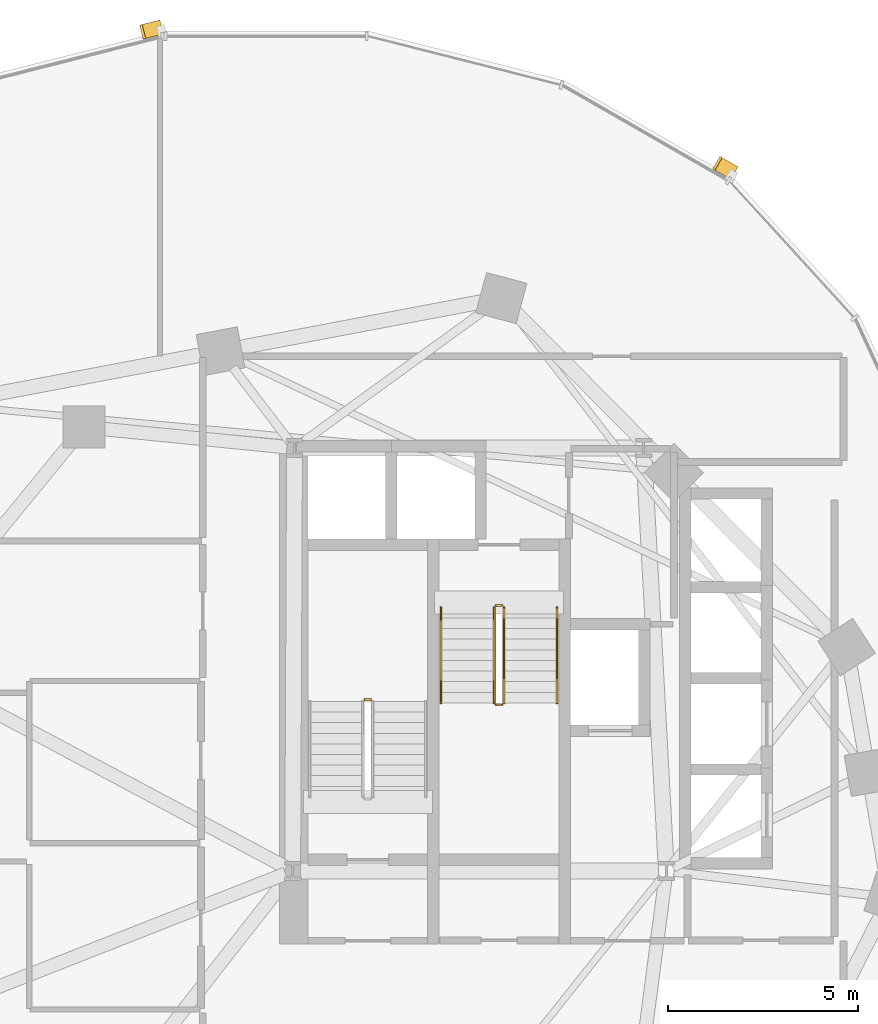
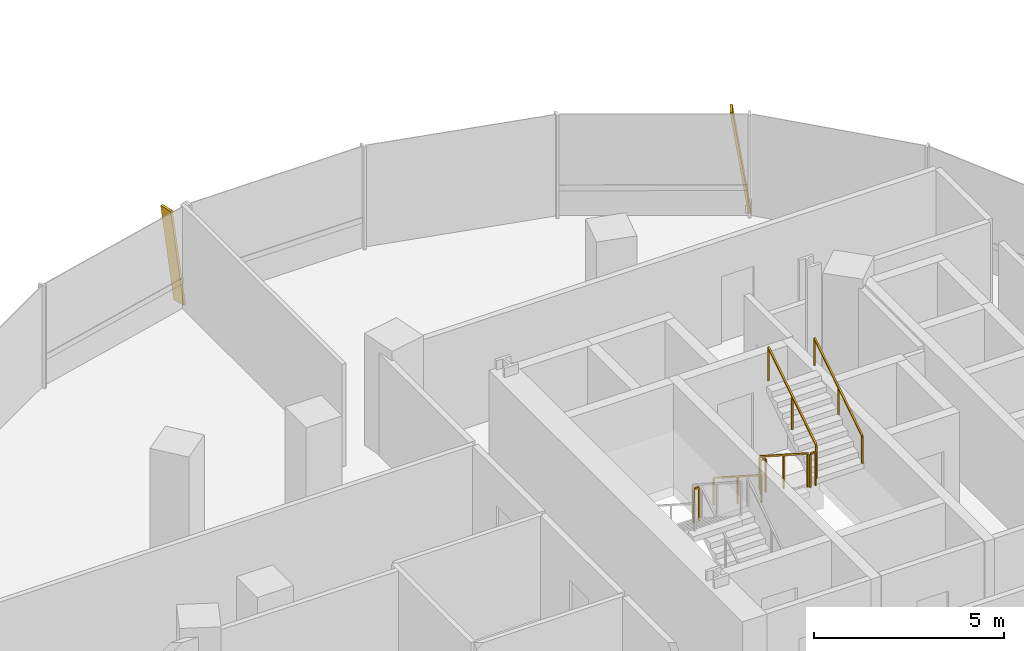
# One storey, part 19 of 21: 7 railings, 2 shading devices.
"""IFC4 building model written with IfcOpenShell, lengths in metres."""

import ifcopenshell
import ifcopenshell.guid

model = None  # the IFC model being written
_history = None  # IfcOwnerHistory: only IFC2X3 demands one
_inside = {}  # id of a spatial element -> (the spatial element, [elements in it])
_under = {}  # id of a project, library or spatial element -> (it, [spatial elements below it])
_declared = {}  # id of a project -> (the project, [libraries it declares])
_typed = {}  # id of a type object -> (the type object, [elements of that type])
_made_of = {}  # id of a material, layer set ... -> (it, [elements and type objects made of it])


def new_model(schema):
    """Start an empty IFC model of exactly this schema.

    Asked for "IFC4X3", IfcOpenShell would pick the latest addendum, in which some entities
    have other attributes; the version numbers below select the first issue.
    IFC2X3 requires an IfcOwnerHistory on every rooted entity: one is made here for all.
    """
    global model, _history
    if schema == "IFC4X3":
        model = ifcopenshell.file(schema_version=(4, 3, 0, 0))
    else:
        model = ifcopenshell.file(schema=schema)
    _inside.clear()
    _under.clear()
    _declared.clear()
    _typed.clear()
    _made_of.clear()
    _history = None
    if model.schema == "IFC2X3":
        org = make("IfcOrganization", Name="unknown")
        user = make(
            "IfcPersonAndOrganization",
            ThePerson=make("IfcPerson", FamilyName="unknown"),
            TheOrganization=org,
        )
        app = make(
            "IfcApplication",
            ApplicationDeveloper=org,
            Version="unknown",
            ApplicationFullName="unknown",
            ApplicationIdentifier="unknown",
        )
        _history = make(
            "IfcOwnerHistory",
            OwningUser=user,
            OwningApplication=app,
            ChangeAction="ADDED",
            CreationDate=0,
        )
    return model


def make(cls, **values):
    """One entity of the class cls with the attributes given. An attribute that is None is left unset."""
    return model.create_entity(
        cls, **{name: value for name, value in values.items() if value is not None}
    )


def rooted(cls, **values):
    """An entity with a GlobalId (a new one), such as an element, a storey or a relation."""
    return make(cls, GlobalId=ifcopenshell.guid.new(), OwnerHistory=_history, **values)


def si_unit(unit_type, name, prefix=None):
    """IfcSIUnit, for example si_unit("LENGTHUNIT", "METRE", prefix="MILLI")."""
    return make("IfcSIUnit", UnitType=unit_type, Prefix=prefix, Name=name)


def assignment(units):
    """IfcUnitAssignment: the units of a project."""
    return None if units is None else make("IfcUnitAssignment", Units=units)


def point(xyz):
    """IfcCartesianPoint."""
    return None if xyz is None else make("IfcCartesianPoint", Coordinates=xyz)


def direction(xyz):
    """IfcDirection."""
    return None if xyz is None else make("IfcDirection", DirectionRatios=xyz)


def frame(location, z_axis=None, x_axis=None):
    """IfcAxis2Placement3D, a coordinate frame: its origin and axes. An axis left out is left unset."""
    return make(
        "IfcAxis2Placement3D",
        Location=point(location),
        Axis=direction(z_axis),
        RefDirection=direction(x_axis),
    )


def frame_2d(location, x_axis=None):
    """IfcAxis2Placement2D, a coordinate frame in the plane: its origin and x axis."""
    return make(
        "IfcAxis2Placement2D", Location=point(location), RefDirection=direction(x_axis)
    )


def origin():
    """The frame at (0, 0, 0) with its axes left unset."""
    return frame((0.0, 0.0, 0.0))


def origin_2d():
    """The frame at (0, 0) in the plane with its x axis left unset."""
    return frame_2d((0.0, 0.0))


def place(relative_to, where):
    """IfcLocalPlacement: puts the frame where relative to a parent placement (None: the world)."""
    return make(
        "IfcLocalPlacement", PlacementRelTo=relative_to, RelativePlacement=where
    )


def context(
    kind, dimensions, precision=None, world=None, true_north=None, identifier=None
):
    """IfcGeometricRepresentationContext, for example the 3D "Model" context."""
    return make(
        "IfcGeometricRepresentationContext",
        ContextIdentifier=identifier,
        ContextType=kind,
        CoordinateSpaceDimension=dimensions,
        Precision=precision,
        WorldCoordinateSystem=world,
        TrueNorth=true_north,
    )


def subcontext(parent, identifier, kind, view, scale=None):
    """IfcGeometricRepresentationSubContext, for example "Body" below "Model"."""
    return make(
        "IfcGeometricRepresentationSubContext",
        ContextIdentifier=identifier,
        ContextType=kind,
        ParentContext=parent,
        TargetScale=scale,
        TargetView=view,
    )


def project(units=None, contexts=None):
    """IfcProject with its units and contexts."""
    return rooted(
        "IfcProject",
        Name="project",
        RepresentationContexts=contexts,
        UnitsInContext=assignment(units),
    )


def spatial(cls, under=None, at=None, **own):
    """A site, building, storey or space (cls), placed at a placement, below another one or the project."""
    s = rooted(cls, ObjectPlacement=at, **own)
    if under is not None:
        _under.setdefault(under.id(), (under, []))[1].append(s)
    return s


def profile(cls, at=None, kind="AREA", **sizes):
    """A parametric profile (cls). Its sizes go by their IFC names, for example OverallWidth=200.0."""
    return make(cls, ProfileType=kind, Position=at, **sizes)


def rectangle(**sizes):
    """IfcRectangleProfileDef."""
    return profile("IfcRectangleProfileDef", **sizes)


def extrude(swept, where, along, depth):
    """IfcExtrudedAreaSolid: the profile swept, set in the frame where, extruded along a direction by depth."""
    return make(
        "IfcExtrudedAreaSolid",
        SweptArea=swept,
        Position=where,
        ExtrudedDirection=direction(along),
        Depth=depth,
    )


def shape(context_of_items, identifier, shape_type, items):
    """IfcShapeRepresentation: the items that make up one representation, for example the "Body"."""
    return make(
        "IfcShapeRepresentation",
        ContextOfItems=context_of_items,
        RepresentationIdentifier=identifier,
        RepresentationType=shape_type,
        Items=items,
    )


def material(Name=None, Category=None):
    """IfcMaterial."""
    return make("IfcMaterial", Name=Name, Category=Category)


def material_profile(
    of_material, cross_section, Name=None, Category=None, Priority=None
):
    """IfcMaterialProfile: a cross section and its material."""
    return make(
        "IfcMaterialProfile",
        Name=Name,
        Material=of_material,
        Profile=cross_section,
        Priority=Priority,
        Category=Category,
    )


def profile_set(profiles, Name=None, composite=None):
    """IfcMaterialProfileSet."""
    return make(
        "IfcMaterialProfileSet",
        Name=Name,
        MaterialProfiles=profiles,
        CompositeProfile=composite,
    )


def made_of(thing, what):
    """Note that an element or type object is made of a material, layer set ...; save() writes the relation."""
    if what is not None:
        _made_of.setdefault(what.id(), (what, []))[1].append(thing)
    return thing


def type_object(cls, material=None, **own):
    """A type object (cls), such as IfcWallType, which elements share."""
    return made_of(rooted(cls, **own), material)


def element(
    cls,
    number,
    at=None,
    inside=None,
    cuts=None,
    type_object=None,
    material=None,
    context=None,
    identifier="Body",
    shape_type=None,
    held_by="IfcProductDefinitionShape",
    body=None,
    shapes=None,
    **own,
):
    """One element of the class cls, such as IfcWall. Its Tag is "e" and its number.

    at: its placement. inside: the storey or other place that contains it. cuts: it is an
    opening in that element (IfcRelVoidsElement). A single representation is given by context,
    identifier, shape_type and body (its items); several are given by shapes. held_by: the class
    of the entity that holds the representations. save() writes the other relations.
    """
    e = rooted(cls, Tag="e%d" % number, ObjectPlacement=at, **own)
    if body is not None:
        shapes = [shape(context, identifier, shape_type, body)]
    if shapes is not None:
        e.Representation = make(held_by, Representations=shapes)
    if inside is not None:
        _inside.setdefault(inside.id(), (inside, []))[1].append(e)
    if cuts is not None:
        rooted(
            "IfcRelVoidsElement", RelatingBuildingElement=cuts, RelatedOpeningElement=e
        )
    if type_object is not None:
        _typed.setdefault(type_object.id(), (type_object, []))[1].append(e)
    return made_of(e, material)


def aggregate(whole, parts):
    """IfcRelAggregates: a whole, such as a stair, and the parts it consists of."""
    return rooted("IfcRelAggregates", RelatingObject=whole, RelatedObjects=parts)


def save(model, path):
    """Write the relations noted so far, then the file.

    IfcRelAggregates (storeys below a building ...), IfcRelContainedInSpatialStructure (elements
    in a storey), IfcRelDefinesByType, IfcRelAssociatesMaterial and IfcRelDeclares: one each for
    every whole, place, type object, material and project.
    """
    for whole, parts in _under.values():
        aggregate(whole, parts)
    for where, things in _inside.values():
        rooted(
            "IfcRelContainedInSpatialStructure",
            RelatedElements=things,
            RelatingStructure=where,
        )
    for kind, things in _typed.values():
        rooted("IfcRelDefinesByType", RelatedObjects=things, RelatingType=kind)
    for what, things in _made_of.values():
        rooted("IfcRelAssociatesMaterial", RelatedObjects=things, RelatingMaterial=what)
    for by, libraries in _declared.values():
        rooted("IfcRelDeclares", RelatingContext=by, RelatedDefinitions=libraries)
    model.write(path)


model = new_model("IFC4")

# Units and contexts
model_context = context("Model", 3, precision=1e-05, world=origin(), true_north=direction((0.0, 1.0)))
body_context = subcontext(model_context, "Body", "Model", "MODEL_VIEW")
ifc_project = project(units=[si_unit("LENGTHUNIT", "METRE"), si_unit("AREAUNIT", "SQUARE_METRE"), si_unit("VOLUMEUNIT", "CUBIC_METRE"), si_unit("PLANEANGLEUNIT", "RADIAN"), si_unit("MASSUNIT", "GRAM", prefix="KILO"), si_unit("THERMODYNAMICTEMPERATUREUNIT", "KELVIN"), si_unit("POWERUNIT", "WATT")], contexts=[model_context])

# Site, building, storey
site_placement = place(None, origin())
site = spatial("IfcSite", under=ifc_project, at=site_placement, CompositionType="ELEMENT")
building_placement = place(site_placement, origin())
building = spatial("IfcBuilding", under=site, at=building_placement, Name="Cundina Bronze Exchange", CompositionType="ELEMENT")
storey_placement = place(building_placement, frame((0.0, 0.0, 107.0)))
storey = spatial("IfcBuildingStorey", under=building, at=storey_placement, Name="L27", CompositionType="ELEMENT", Elevation=107.0)

# Railings
ifc_material_1 = material(Name="Steel ASTM A36 Painted", Category="steel")
railing_type_1 = type_object("IfcRailingType", Name="RLG-HND-900", PredefinedType="HANDRAIL", material=ifc_material_1)
railing_1_placement = place(storey_placement, frame((-27.389892578125, 10.85009765625, 0.179931640625)))
element("IfcRailing", 1, at=railing_1_placement, inside=storey, type_object=railing_type_1, Name="L27 ST-W2 stair handrail 1", PredefinedType="HANDRAIL", context=body_context, shape_type="SweptSolid", body=[
    extrude(rectangle(XDim=0.048095703125, YDim=0.048095703125, at=origin_2d()), frame((0.0, 0.0, 0.8759765625), z_axis=(0.0, -0.841162588446, 0.540782303519), x_axis=(1.0, 0.0, 0.0)), (0.0, 0.0, 1.0), 2.995849609375),
    extrude(rectangle(XDim=0.0419921875, YDim=0.0419921875, at=origin_2d()), origin(), (0.0, 0.0, 1.0), 0.851806640625),
    extrude(rectangle(XDim=0.0419921875, YDim=0.0419921875, at=origin_2d()), frame((0.0, -1.260009765625, 0.81005859375)), (0.0, 0.0, 1.0), 0.851806640625),
    extrude(rectangle(XDim=0.0419921875, YDim=0.0419921875, at=origin_2d()), frame((0.0, -2.52001953125, 1.6201171875)), (0.0, 0.0, 1.0), 0.851806640625),
])
railing_2_placement = place(storey_placement, frame((-24.330078125, 8.330078125, 1.97998046875)))
element("IfcRailing", 2, at=railing_2_placement, inside=storey, type_object=railing_type_1, Name="L27 ST-W2 stair handrail 2", PredefinedType="HANDRAIL", context=body_context, shape_type="SweptSolid", body=[
    extrude(rectangle(XDim=0.048095703125, YDim=0.048095703125, at=origin_2d()), frame((0.0, 0.0, 0.8759765625), z_axis=(0.0, 0.841162588446, 0.540782303519), x_axis=(-1.0, 0.0, 0.0)), (0.0, 0.0, 1.0), 2.995849609375),
    extrude(rectangle(XDim=0.0419921875, YDim=0.0419921875, at=origin_2d()), origin(), (0.0, 0.0, 1.0), 0.851806640625),
    extrude(rectangle(XDim=0.0419921875, YDim=0.0419921875, at=origin_2d()), frame((0.0, 1.260009765625, 0.81005859375)), (0.0, 0.0, 1.0), 0.851806640625),
    extrude(rectangle(XDim=0.0419921875, YDim=0.0419921875, at=origin_2d()), frame((0.0, 2.52001953125, 1.6201171875)), (0.0, 0.0, 1.0), 0.851806640625),
])
railing_type_2 = type_object("IfcRailingType", Name="RLG-STG-1100", PredefinedType="GUARDRAIL", material=ifc_material_1)
railing_3_placement = place(storey_placement, frame((-29.239990234375, 8.419921875, 1.800048828125)))
element("IfcRailing", 3, at=railing_3_placement, inside=storey, type_object=railing_type_2, Name="L27 ST-W1 stair guard 2", PredefinedType="GUARDRAIL", context=body_context, shape_type="SweptSolid", body=[
    extrude(rectangle(XDim=0.048095703125, YDim=0.048095703125, at=origin_2d()), frame((0.0, 0.0, 1.076171875), z_axis=(-1.0, 0.0, 0.0), x_axis=(0.0, -1.0, 0.0)), (0.0, 0.0, 1.0), 0.159912109375),
    extrude(rectangle(XDim=0.0419921875, YDim=0.0419921875, at=origin_2d()), origin(), (0.0, 0.0, 1.0), 1.052001953125),
    extrude(rectangle(XDim=0.0419921875, YDim=0.0419921875, at=origin_2d()), frame((-0.159912109375, 0.0, 0.0)), (0.0, 0.0, 1.0), 1.052001953125),
])
railing_4_placement = place(storey_placement, frame((-25.989990234375, 10.85009765625, 0.179931640625)))
element("IfcRailing", 4, at=railing_4_placement, inside=storey, type_object=railing_type_2, Name="L27 ST-W2 stair guard 1", PredefinedType="GUARDRAIL", context=body_context, shape_type="SweptSolid", body=[
    extrude(rectangle(XDim=0.048095703125, YDim=0.048095703125, at=origin_2d()), frame((0.0, 0.0, 1.076171875), z_axis=(0.0, -0.841162588446, 0.540782303519), x_axis=(1.0, 0.0, 0.0)), (0.0, 0.0, 1.0), 2.995849609375),
    extrude(rectangle(XDim=0.0419921875, YDim=0.0419921875, at=origin_2d()), origin(), (0.0, 0.0, 1.0), 1.052001953125),
    extrude(rectangle(XDim=0.0419921875, YDim=0.0419921875, at=origin_2d()), frame((0.0, -1.260009765625, 0.81005859375)), (0.0, 0.0, 1.0), 1.052001953125),
    extrude(rectangle(XDim=0.0419921875, YDim=0.0419921875, at=origin_2d()), frame((0.0, -2.52001953125, 1.6201171875)), (0.0, 0.0, 1.0), 1.052001953125),
])
railing_5_placement = place(storey_placement, frame((-25.93994140625, 8.280029296875, 1.800048828125)))
element("IfcRailing", 5, at=railing_5_placement, inside=storey, type_object=railing_type_2, Name="L27 ST-W2 stair guard 2", PredefinedType="GUARDRAIL", context=body_context, shape_type="SweptSolid", body=[
    extrude(rectangle(XDim=0.048095703125, YDim=0.048095703125, at=origin_2d()), frame((0.0, 0.0, 1.076171875), z_axis=(1.0, 0.0, 0.0), x_axis=(0.0, 1.0, 0.0)), (0.0, 0.0, 1.0), 0.159912109375),
    extrude(rectangle(XDim=0.0419921875, YDim=0.0419921875, at=origin_2d()), origin(), (0.0, 0.0, 1.0), 1.052001953125),
    extrude(rectangle(XDim=0.0419921875, YDim=0.0419921875, at=origin_2d()), frame((0.159912109375, 0.0, 0.0)), (0.0, 0.0, 1.0), 1.052001953125),
])
railing_6_placement = place(storey_placement, frame((-25.72998046875, 8.330078125, 1.97998046875)))
element("IfcRailing", 6, at=railing_6_placement, inside=storey, type_object=railing_type_2, Name="L27 ST-W2 stair guard 3", PredefinedType="GUARDRAIL", context=body_context, shape_type="SweptSolid", body=[
    extrude(rectangle(XDim=0.048095703125, YDim=0.048095703125, at=origin_2d()), frame((0.0, 0.0, 1.076171875), z_axis=(0.0, 0.841162588446, 0.540782303519), x_axis=(-1.0, 0.0, 0.0)), (0.0, 0.0, 1.0), 2.995849609375),
    extrude(rectangle(XDim=0.0419921875, YDim=0.0419921875, at=origin_2d()), origin(), (0.0, 0.0, 1.0), 1.052001953125),
    extrude(rectangle(XDim=0.0419921875, YDim=0.0419921875, at=origin_2d()), frame((0.0, 1.260009765625, 0.81005859375)), (0.0, 0.0, 1.0), 1.052001953125),
    extrude(rectangle(XDim=0.0419921875, YDim=0.0419921875, at=origin_2d()), frame((0.0, 2.52001953125, 1.6201171875)), (0.0, 0.0, 1.0), 1.052001953125),
])
railing_7_placement = place(storey_placement, frame((-25.93994140625, 10.89990234375, 0.0)))
element("IfcRailing", 7, at=railing_7_placement, inside=storey, type_object=railing_type_2, Name="L27 ST-W2 stair guard 4", PredefinedType="GUARDRAIL", context=body_context, shape_type="SweptSolid", body=[
    extrude(rectangle(XDim=0.048095703125, YDim=0.048095703125, at=origin_2d()), frame((0.0, 0.0, 1.076171875), z_axis=(1.0, 0.0, 0.0), x_axis=(0.0, 1.0, 0.0)), (0.0, 0.0, 1.0), 0.159912109375),
    extrude(rectangle(XDim=0.0419921875, YDim=0.0419921875, at=origin_2d()), origin(), (0.0, 0.0, 1.0), 1.052001953125),
    extrude(rectangle(XDim=0.0419921875, YDim=0.0419921875, at=origin_2d()), frame((0.159912109375, 0.0, 0.0)), (0.0, 0.0, 1.0), 1.052001953125),
])

# Shading devices
ifc_material_2 = material(Name="Anodised Bronze Aluminium 6063-T6", Category="aluminium")
ifc_material_profile = material_profile(ifc_material_2, rectangle(XDim=0.070068359375, YDim=0.3798828125, at=origin_2d()), Name="FIN70X380", Category="aluminium")
ifc_profile_set = profile_set([ifc_material_profile], Name="Anodised Bronze Aluminium 6063-T6")
shading_device_type = type_object("IfcShadingDeviceType", Name="SHD-FIN-BRZ380", PredefinedType="USERDEFINED", material=ifc_profile_set)
for number, where, z_axis, x_axis, name in (
    (8, (-19.685791015625, 22.314208984375, 0.02001953125), (-0.126324692219, 0.072534823274, 0.989333498649), (0.857958278167, -0.492634108109, 0.145668213594), "L27 Diagonal Bronze Solar Fin 5"),
    (9, (-34.787353515625, 26.138427734375, 0.02001953125), (-0.141217047268, -0.035711761166, 0.989334329575), (0.95914051701, 0.242552848478, 0.145662570088), "L27 Diagonal Bronze Solar Fin 1"),
):
    element("IfcShadingDevice", number, at=place(storey_placement, frame(where, z_axis=z_axis, x_axis=x_axis)), inside=storey, type_object=shading_device_type, Name=name, ObjectType="FIN", PredefinedType="USERDEFINED", context=body_context, shape_type="SweptSolid", body=[
        extrude(rectangle(XDim=0.070068359375, YDim=0.3798828125, at=origin_2d()), origin(), (0.0, 0.0, 1.0), 3.295166015625),
    ])

save(model, "model.ifc")
